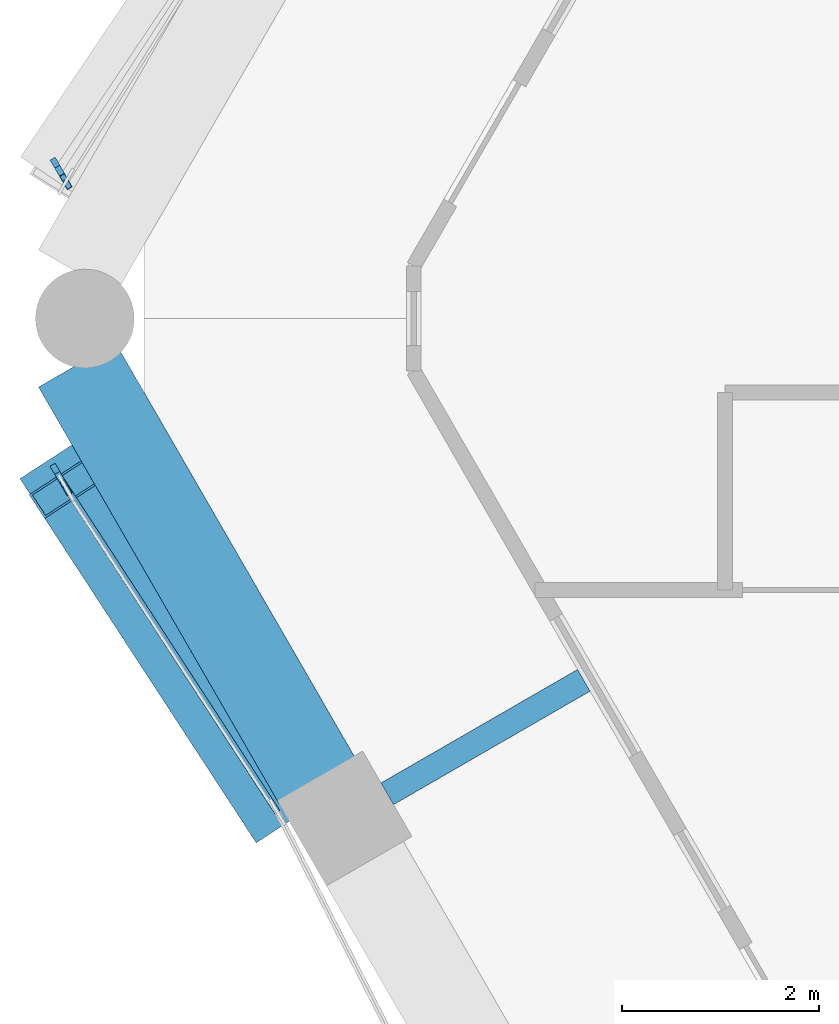
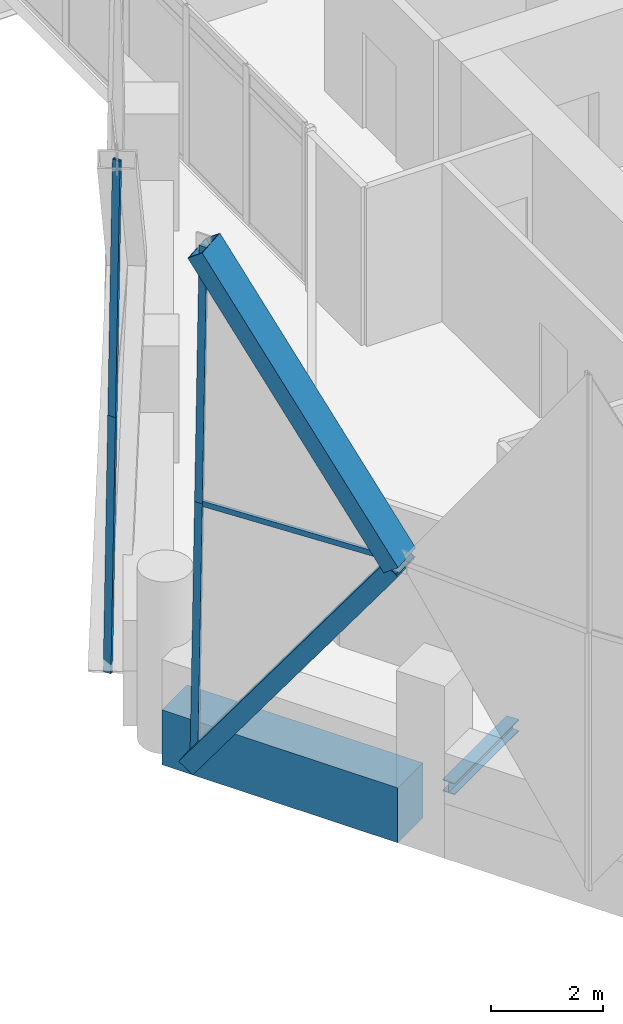
# One storey, part 10 of 37: 7 members, 2 beams, 3 elements without a shape of their own.
"""IFC4 building model written with IfcOpenShell, lengths in metres."""

from ifc_helpers import new_model, si_unit, direction, frame, origin, origin_2d, place, context, subcontext, project, spatial, rectangle, hollow_rectangle, i_section, extrude, material, material_profile, profile_set, type_object, element, aggregate, save


model = new_model("IFC4")

# Units and contexts
model_context = context("Model", 3, precision=1e-05, world=origin(), true_north=direction((0.0, 1.0)))
body_context = subcontext(model_context, "Body", "Model", "MODEL_VIEW")
ifc_project = project(units=[si_unit("LENGTHUNIT", "METRE"), si_unit("AREAUNIT", "SQUARE_METRE"), si_unit("VOLUMEUNIT", "CUBIC_METRE"), si_unit("PLANEANGLEUNIT", "RADIAN"), si_unit("MASSUNIT", "GRAM", prefix="KILO")], contexts=[model_context])

# Site, building, storey
site_placement = place(None, origin())
site = spatial("IfcSite", under=ifc_project, at=site_placement, CompositionType="ELEMENT")
building_placement = place(site_placement, origin())
building = spatial("IfcBuilding", under=site, at=building_placement, Name="Ostrander Bayou Hotel Tower", CompositionType="ELEMENT")
storey_placement = place(building_placement, frame((0.0, 0.0, 198.25)))
storey = spatial("IfcBuildingStorey", under=building, at=storey_placement, Name="L49", CompositionType="ELEMENT", Elevation=198.25)

# Curtain wall, members
ifc_material_1 = material(Name="Aluminium and clear glass", Category="aluminium")
curtain_wall_type = type_object("IfcCurtainWallType", Name="CW-LAT lattice glazing", PredefinedType="NOTDEFINED", material=ifc_material_1)
curtain_wall_1_placement = place(storey_placement, origin())
curtain_wall_1 = element("IfcCurtainWall", 1, at=curtain_wall_1_placement, inside=storey, type_object=curtain_wall_type, Name="CW-LAT L49 NW 1", PredefinedType="NOTDEFINED")
ifc_material_2 = material(Name="Aluminium", Category="aluminium")
ifc_material_profile_1 = material_profile(ifc_material_2, hollow_rectangle(XDim=0.06005859375, YDim=0.159912109375, WallThickness=0.00390625, at=origin_2d()))
ifc_profile_set_1 = profile_set([ifc_material_profile_1], Name="Aluminium")
member_type_1 = type_object("IfcMemberType", Name="CW-LA mullion 60 x 160 mm", PredefinedType="MULLION", material=ifc_profile_set_1)
member_1_placement = place(storey_placement, frame((-20.576416015625, 0.602294921875, -0.60009765625), z_axis=(0.008418950603, -0.014537878618, 0.99985887572), x_axis=(0.865367327112, 0.50113809391, 0.0)))
member_1 = element("IfcMember", 2, at=member_1_placement, type_object=member_type_1, Name="CW-LAT mullion 5", PredefinedType="MULLION", context=body_context, shape_type="SweptSolid", body=[
    extrude(hollow_rectangle(XDim=0.06005859375, YDim=0.159912109375, WallThickness=0.00390625, at=origin_2d()), origin(), (0.0, 0.0, 1.0), 5.625732421875),
])
member_2_placement = place(storey_placement, frame((-20.529052734375, 0.5205078125, 5.02490234375), z_axis=(0.008375557002, -0.014537883916, 0.999859240081), x_axis=(0.866486855147, 0.499199889682, 0.0)))
member_2 = element("IfcMember", 3, at=member_2_placement, type_object=member_type_1, Name="CW-LAT mullion 6", PredefinedType="MULLION", context=body_context, shape_type="SweptSolid", body=[
    extrude(hollow_rectangle(XDim=0.06005859375, YDim=0.159912109375, WallThickness=0.00390625, at=origin_2d()), origin(), (0.0, 0.0, 1.0), 5.625732421875),
])
aggregate(curtain_wall_1, [member_1, member_2])

curtain_wall_2_placement = place(storey_placement, origin())
curtain_wall_2 = element("IfcCurtainWall", 4, at=curtain_wall_2_placement, inside=storey, type_object=curtain_wall_type, Name="CW-LAT L49 SW 1", PredefinedType="NOTDEFINED")
member_3_placement = place(storey_placement, frame((-20.576416015625, -2.500732421875, -0.60009765625), z_axis=(0.008418950603, -0.014537878618, 0.99985887572), x_axis=(0.865367327112, 0.50113809391, 0.0)))
member_3 = element("IfcMember", 5, at=member_3_placement, type_object=member_type_1, Name="CW-LAT mullion 1", PredefinedType="MULLION", context=body_context, shape_type="SweptSolid", body=[
    extrude(hollow_rectangle(XDim=0.06005859375, YDim=0.159912109375, WallThickness=0.00390625, at=origin_2d()), origin(), (0.0, 0.0, 1.0), 5.625732421875),
])
member_4_placement = place(storey_placement, frame((-20.529052734375, -2.58251953125, 5.02490234375), z_axis=(0.008375557002, -0.014537883916, 0.999859240081), x_axis=(0.866486855147, 0.499199889682, 0.0)))
member_4 = element("IfcMember", 6, at=member_4_placement, type_object=member_type_1, Name="CW-LAT mullion 2", PredefinedType="MULLION", context=body_context, shape_type="SweptSolid", body=[
    extrude(hollow_rectangle(XDim=0.06005859375, YDim=0.159912109375, WallThickness=0.00390625, at=origin_2d()), origin(), (0.0, 0.0, 1.0), 5.625732421875),
])
aggregate(curtain_wall_2, [member_3, member_4])

# Curtain wall, member
curtain_wall_3_placement = place(storey_placement, origin())
curtain_wall_3 = element("IfcCurtainWall", 7, at=curtain_wall_3_placement, inside=storey, type_object=curtain_wall_type, Name="CW-LAT L49 SW 2", PredefinedType="NOTDEFINED")
ifc_material_3 = material(Name="Aluminium", Category="aluminium")
ifc_material_profile_2 = material_profile(ifc_material_3, hollow_rectangle(XDim=0.06005859375, YDim=0.1201171875, WallThickness=0.00390625, at=origin_2d()))
ifc_profile_set_2 = profile_set([ifc_material_profile_2], Name="Aluminium")
member_type_2 = type_object("IfcMemberType", Name="CW-LA transom 60 x 120 mm", PredefinedType="USERDEFINED", material=ifc_profile_set_2)
member_5_placement = place(storey_placement, frame((-20.529052734375, -2.58251953125, 5.02490234375), z_axis=(0.545118571936, -0.838358958043, 0.0), x_axis=(0.838358958043, 0.545118571936, 0.0)))
member_5 = element("IfcMember", 8, at=member_5_placement, type_object=member_type_2, Name="CW-LAT transom 3", ObjectType="TRANSOM", PredefinedType="USERDEFINED", context=body_context, shape_type="SweptSolid", body=[
    extrude(hollow_rectangle(XDim=0.06005859375, YDim=0.1201171875, WallThickness=0.00390625, at=origin_2d()), origin(), (0.0, 0.0, 1.0), 4.01953125),
])
aggregate(curtain_wall_3, [member_5])

# Beam
ifc_material_4 = material(Name="Steel ASTM A992", Category="steel")
ifc_material_profile_3 = material_profile(ifc_material_4, i_section(OverallWidth=0.25390625, OverallDepth=0.25341796875, WebThickness=0.008544921875, FlangeThickness=0.01416015625, at=origin_2d()))
ifc_profile_set_3 = profile_set([ifc_material_profile_3], Name="Steel ASTM A992")
beam_type_1 = type_object("IfcBeamType", Name="LB2 loggia bracket W10x49", PredefinedType="BEAM", material=ifc_profile_set_3)
beam_1_placement = place(storey_placement, frame((-17.224365234375, -5.7666015625, -0.4267578125), z_axis=(0.866053019151, 0.499952165731, 0.0), x_axis=(-0.499952165731, 0.866053019151, 0.0)))
element("IfcBeam", 9, at=beam_1_placement, inside=storey, type_object=beam_type_1, Name="LB2 L49 SW1", PredefinedType="BEAM", context=body_context, shape_type="SweptSolid", body=[
    extrude(i_section(OverallWidth=0.25390625, OverallDepth=0.25341796875, WebThickness=0.008544921875, FlangeThickness=0.01416015625, at=origin_2d()), origin(), (0.0, 0.0, 1.0), 2.300048828125),
])

# Members
ifc_material_5 = material(Name="Steel ASTM A572 Gr 50", Category="steel")
ifc_material_profile_4 = material_profile(ifc_material_5, hollow_rectangle(XDim=0.699951171875, YDim=0.35009765625, WallThickness=0.02490234375, at=origin_2d()))
ifc_profile_set_4 = profile_set([ifc_material_profile_4], Name="Steel ASTM A572 Gr 50")
member_type_3 = type_object("IfcMemberType", Name="LT1 lattice member box 700 x 350 x 25 mm", PredefinedType="BRACE", material=ifc_profile_set_4)
member_6_placement = place(storey_placement, frame((-18.337890625, -5.952392578125, 5.02490234375), z_axis=(-0.321216422171, 0.495294773329, -0.807157418129), x_axis=(-0.839004487986, -0.544124497831, 0.0)))
element("IfcMember", 10, at=member_6_placement, inside=storey, type_object=member_type_3, Name="LT1 L49 SW 1", PredefinedType="BRACE", context=body_context, shape_type="SweptSolid", body=[
    extrude(hollow_rectangle(XDim=0.699951171875, YDim=0.35009765625, WallThickness=0.02490234375, at=origin_2d()), origin(), (0.0, 0.0, 1.0), 6.968994140625),
])
member_7_placement = place(storey_placement, frame((-18.337890625, -5.952392578125, 5.02490234375), z_axis=(-0.312577731649, 0.479366532663, 0.82006273482), x_axis=(-0.837652663113, -0.546203273497, 0.0)))
element("IfcMember", 11, at=member_7_placement, inside=storey, type_object=member_type_3, Name="LT1 L49 SW 2", PredefinedType="BRACE", context=body_context, shape_type="SweptSolid", body=[
    extrude(hollow_rectangle(XDim=0.699951171875, YDim=0.35009765625, WallThickness=0.02490234375, at=origin_2d()), origin(), (0.0, 0.0, 1.0), 6.859130859375),
])

# Beam
ifc_material_6 = material(Name="Concrete f'c 60 MPa", Category="concrete")
ifc_material_profile_5 = material_profile(ifc_material_6, rectangle(XDim=0.89990234375, YDim=1.199951171875, at=origin_2d()))
ifc_profile_set_5 = profile_set([ifc_material_profile_5], Name="Concrete f'c 60 MPa")
beam_type_2 = type_object("IfcBeamType", Name="SP3 spandrel beam 900 x 1200 mm f'c 60 MPa", PredefinedType="SPANDREL", material=ifc_profile_set_5)
beam_2_placement = place(storey_placement, frame((-20.36962890625, -1.4189453125, -0.60009765625), z_axis=(0.500033586455, -0.866006011767, 0.0), x_axis=(0.866006011767, 0.500033586455, 0.0)))
element("IfcBeam", 12, at=beam_2_placement, inside=storey, type_object=beam_type_2, Name="SP3 L49 SW-1", PredefinedType="SPANDREL", context=body_context, shape_type="SweptSolid", body=[
    extrude(rectangle(XDim=0.89990234375, YDim=1.199951171875, at=origin_2d()), origin(), (0.0, 0.0, 1.0), 4.867919921875),
])

save(model, "model.ifc")
